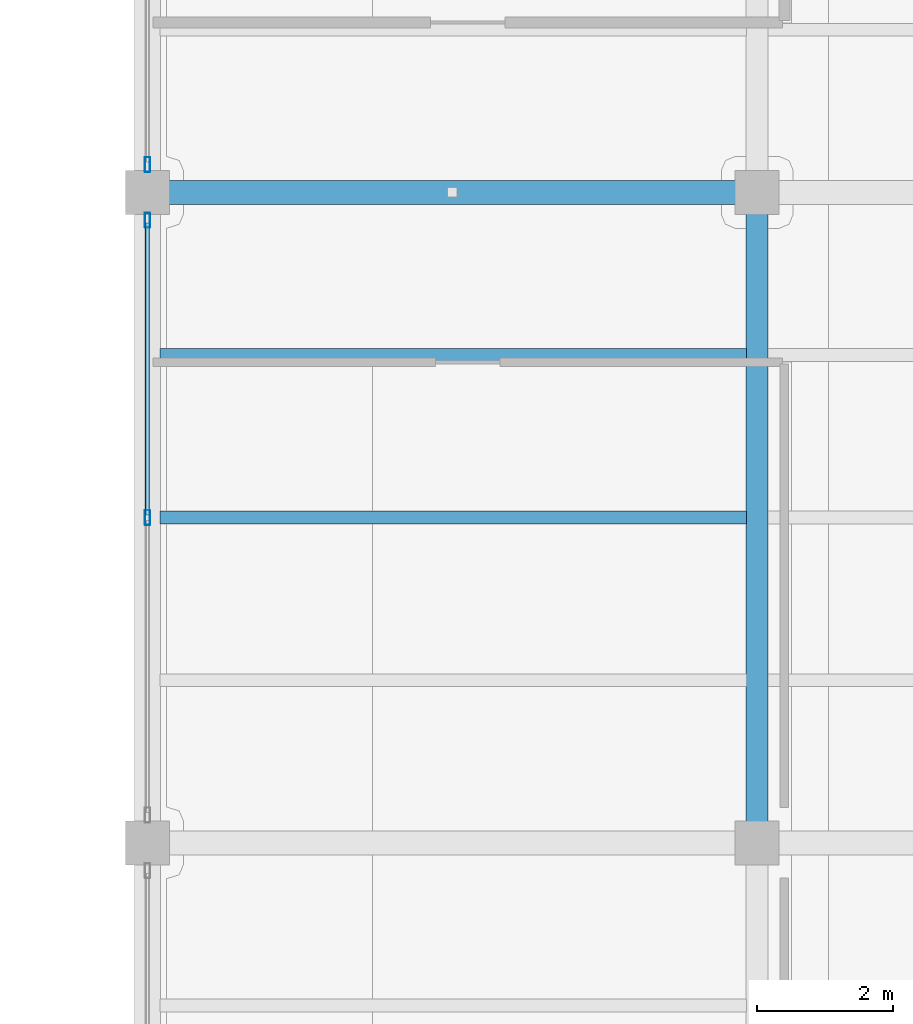
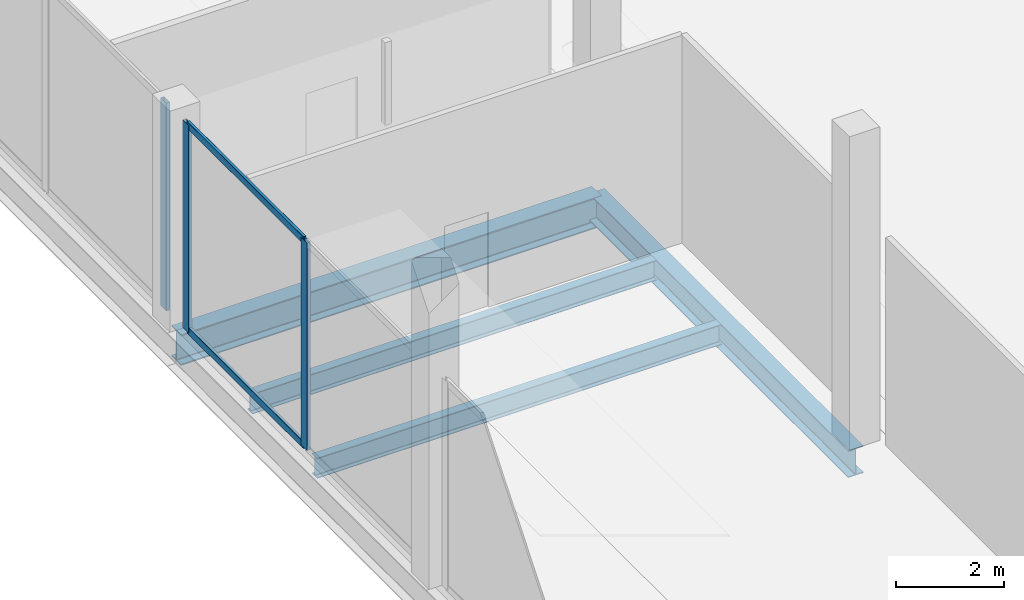
# One storey, part 7 of 43: 5 members, 4 beams, 2 elements without a shape of their own.
"""IFC4 building model written with IfcOpenShell, lengths in metres."""

from ifc_helpers import new_model, si_unit, direction, frame, origin, origin_2d, place, context, subcontext, project, spatial, hollow_rectangle, i_section, extrude, material, layer, layer_set, material_profile, profile_set, type_object, element, aggregate, save


model = new_model("IFC4")

# Units and contexts
model_context = context("Model", 3, precision=1e-05, world=origin(), true_north=direction((0.0, 1.0)))
body_context = subcontext(model_context, "Body", "Model", "MODEL_VIEW")
ifc_project = project(units=[si_unit("LENGTHUNIT", "METRE"), si_unit("AREAUNIT", "SQUARE_METRE"), si_unit("VOLUMEUNIT", "CUBIC_METRE"), si_unit("PLANEANGLEUNIT", "RADIAN"), si_unit("MASSUNIT", "GRAM", prefix="KILO")], contexts=[model_context])

# Site, building, storey
site_placement = place(None, origin())
site = spatial("IfcSite", under=ifc_project, at=site_placement, CompositionType="ELEMENT")
building_placement = place(site_placement, origin())
building = spatial("IfcBuilding", under=site, at=building_placement, Name="Qorvath Tower", CompositionType="ELEMENT")
storey_placement = place(building_placement, frame((0.0, 0.0, 22.0)))
storey = spatial("IfcBuildingStorey", under=building, at=storey_placement, Name="L04", CompositionType="ELEMENT", Elevation=22.0)

# Beams
ifc_material_1 = material(Name="Steel ASTM A992 Grade 50", Category="steel")
ifc_material_profile_1 = material_profile(ifc_material_1, i_section(OverallWidth=0.35595703125, OverallDepth=0.696044921875, WebThickness=0.015380859375, FlangeThickness=0.02490234375, FilletRadius=0.01806640625, at=origin_2d()), Name="W27x146")
ifc_profile_set_1 = profile_set([ifc_material_profile_1], Name="Steel ASTM A992 Grade 50")
beam_type_1 = type_object("IfcBeamType", Name="BM-FG4", PredefinedType="BEAM", material=ifc_profile_set_1)
beam_1_placement = place(storey_placement, frame((32.39990234375, 0.0, -0.60791015625), z_axis=(1.0, 0.0, 0.0), x_axis=(0.0, 1.0, 0.0)))
element("IfcBeam", 1, at=beam_1_placement, inside=storey, type_object=beam_type_1, Name="Library E-W Girder L04-5-1", PredefinedType="BEAM", context=body_context, shape_type="SweptSolid", body=[
    extrude(i_section(OverallWidth=0.35595703125, OverallDepth=0.696044921875, WebThickness=0.015380859375, FlangeThickness=0.02490234375, FilletRadius=0.01806640625, at=origin_2d()), origin(), (0.0, 0.0, 1.0), 9.0),
])
ifc_material_2 = material(Name="Steel ASTM A992 Grade 50", Category="steel")
ifc_material_profile_2 = material_profile(ifc_material_2, i_section(OverallWidth=0.324951171875, OverallDepth=0.615966796875, WebThickness=0.013916015625, FlangeThickness=0.021484375, FilletRadius=0.01611328125, at=origin_2d()), Name="W24x117")
ifc_profile_set_2 = profile_set([ifc_material_profile_2], Name="Steel ASTM A992 Grade 50")
beam_type_2 = type_object("IfcBeamType", Name="BM-FG5", PredefinedType="BEAM", material=ifc_profile_set_2)
beam_2_placement = place(storey_placement, frame((41.39990234375, -9.60009765625, -0.568115234375), z_axis=(0.0, 1.0, 0.0), x_axis=(-1.0, 0.0, 0.0)))
element("IfcBeam", 2, at=beam_2_placement, inside=storey, type_object=beam_type_2, Name="Library N-S Girder L04-2-4", PredefinedType="BEAM", context=body_context, shape_type="SweptSolid", body=[
    extrude(i_section(OverallWidth=0.324951171875, OverallDepth=0.615966796875, WebThickness=0.013916015625, FlangeThickness=0.021484375, FilletRadius=0.01611328125, at=origin_2d()), origin(), (0.0, 0.0, 1.0), 9.60009765625),
])
ifc_material_3 = material(Name="Steel ASTM A992 Grade 50", Category="steel")
ifc_material_profile_3 = material_profile(ifc_material_3, i_section(OverallWidth=0.18994140625, OverallDepth=0.45703125, WebThickness=0.009033203125, FlangeThickness=0.014404296875, FilletRadius=0.011962890625, at=origin_2d()), Name="W18x50")
ifc_profile_set_3 = profile_set([ifc_material_profile_3], Name="Steel ASTM A992 Grade 50")
beam_type_3 = type_object("IfcBeamType", Name="BM-FJ2", PredefinedType="JOIST", material=ifc_profile_set_3)
for number, where, z_axis, x_axis, name in (
    (3, (32.58837890625, -4.800048828125, -0.488525390625), (1.0, 0.0, 0.0), (0.0, 1.0, 0.0), "Library Stack Joist L04-4.2-1"),
    (4, (32.58837890625, -2.39990234375, -0.488525390625), (1.0, 0.0, 0.0), (0.0, 1.0, 0.0), "Library Stack Joist L04-4.3-1"),
):
    element("IfcBeam", number, at=place(storey_placement, frame(where, z_axis=z_axis, x_axis=x_axis)), inside=storey, type_object=beam_type_3, Name=name, PredefinedType="JOIST", context=body_context, shape_type="SweptSolid", body=[
        extrude(i_section(OverallWidth=0.18994140625, OverallDepth=0.45703125, WebThickness=0.009033203125, FlangeThickness=0.014404296875, FilletRadius=0.011962890625, at=origin_2d()), origin(), (0.0, 0.0, 1.0), 8.651123046875),
    ])

# Curtain wall, members
ifc_material_4 = material(Name="Anodised aluminium and triple low-E glass", Category="aluminium")
ifc_layer = layer(ifc_material_4, 0.179931640625)
ifc_layer_set = layer_set([ifc_layer], Name="CW-SYS-6")
curtain_wall_type = type_object("IfcCurtainWallType", Name="CW-SYS-6", PredefinedType="NOTDEFINED", material=ifc_layer_set)
curtain_wall_1_placement = place(storey_placement, origin())
curtain_wall_1 = element("IfcCurtainWall", 5, at=curtain_wall_1_placement, inside=storey, type_object=curtain_wall_type, Name="Curtain Wall CW-6 CW-LIB-W-L04-4", PredefinedType="NOTDEFINED")
ifc_material_5 = material(Name="Anodised aluminium 6063-T6", Category="aluminium")
ifc_material_profile_4 = material_profile(ifc_material_5, hollow_rectangle(XDim=0.080078125, YDim=0.219970703125, WallThickness=0.00439453125, InnerFilletRadius=0.00439453125, OuterFilletRadius=0.009033203125, at=origin_2d()), Name="CWM LIB 220x80")
ifc_profile_set_4 = profile_set([ifc_material_profile_4], Name="Anodised aluminium 6063-T6")
member_type_1 = type_object("IfcMemberType", Name="CWM-LIB", PredefinedType="MULLION", material=ifc_profile_set_4)
member_1_placement = place(storey_placement, frame((32.39990234375, -4.800048828125, 0.0), z_axis=(0.0, 0.0, 1.0), x_axis=(-1.0, 0.0, 0.0)))
member_1 = element("IfcMember", 6, at=member_1_placement, type_object=member_type_1, Name="CW-6 mullion 2", PredefinedType="MULLION", context=body_context, shape_type="SweptSolid", body=[
    extrude(hollow_rectangle(XDim=0.080078125, YDim=0.219970703125, WallThickness=0.00439453125, InnerFilletRadius=0.00439453125, OuterFilletRadius=0.009033203125, at=origin_2d()), origin(), (0.0, 0.0, 1.0), 4.699951171875),
])
member_2_placement = place(storey_placement, frame((32.39990234375, -0.41015625, 0.0), z_axis=(0.0, 0.0, 1.0), x_axis=(-1.0, 0.0, 0.0)))
member_2 = element("IfcMember", 7, at=member_2_placement, type_object=member_type_1, Name="CW-6 mullion 3", PredefinedType="MULLION", context=body_context, shape_type="SweptSolid", body=[
    extrude(hollow_rectangle(XDim=0.080078125, YDim=0.219970703125, WallThickness=0.00439453125, InnerFilletRadius=0.00439453125, OuterFilletRadius=0.009033203125, at=origin_2d()), origin(), (0.0, 0.0, 1.0), 4.699951171875),
])

# Curtain wall, member
curtain_wall_2_placement = place(storey_placement, origin())
curtain_wall_2 = element("IfcCurtainWall", 8, at=curtain_wall_2_placement, inside=storey, type_object=curtain_wall_type, Name="Curtain Wall CW-6 CW-LIB-W-L04-5", PredefinedType="NOTDEFINED")
member_3_placement = place(storey_placement, frame((32.39990234375, 0.41015625, 0.0), z_axis=(0.0, 0.0, 1.0), x_axis=(-1.0, 0.0, 0.0)))
member_3 = element("IfcMember", 9, at=member_3_placement, type_object=member_type_1, Name="CW-6 mullion 1", PredefinedType="MULLION", context=body_context, shape_type="SweptSolid", body=[
    extrude(hollow_rectangle(XDim=0.080078125, YDim=0.219970703125, WallThickness=0.00439453125, InnerFilletRadius=0.00439453125, OuterFilletRadius=0.009033203125, at=origin_2d()), origin(), (0.0, 0.0, 1.0), 4.699951171875),
])
aggregate(curtain_wall_2, [member_3])

# Member
ifc_material_6 = material(Name="Anodised aluminium 6063-T6", Category="aluminium")
ifc_material_profile_5 = material_profile(ifc_material_6, hollow_rectangle(XDim=0.06494140625, YDim=0.159912109375, WallThickness=0.00341796875, InnerFilletRadius=0.00341796875, OuterFilletRadius=0.007080078125, at=origin_2d()), Name="CWT 160x65")
ifc_profile_set_5 = profile_set([ifc_material_profile_5], Name="Anodised aluminium 6063-T6")
member_type_2 = type_object("IfcMemberType", Name="CWT-160", PredefinedType="USERDEFINED", material=ifc_profile_set_5)
member_4_placement = place(storey_placement, frame((32.39990234375, -4.760009765625, 0.032470703125), z_axis=(0.0, 1.0, 0.0), x_axis=(-1.0, 0.0, 0.0)))
member_4 = element("IfcMember", 10, at=member_4_placement, type_object=member_type_2, Name="CW-6 transom 2.1", ObjectType="TRANSOM", PredefinedType="USERDEFINED", context=body_context, shape_type="SweptSolid", body=[
    extrude(hollow_rectangle(XDim=0.06494140625, YDim=0.159912109375, WallThickness=0.00341796875, InnerFilletRadius=0.00341796875, OuterFilletRadius=0.007080078125, at=origin_2d()), origin(), (0.0, 0.0, 1.0), 4.309814453125),
])

member_5_placement = place(storey_placement, frame((32.39990234375, -4.760009765625, 4.66748046875), z_axis=(0.0, 1.0, 0.0), x_axis=(-1.0, 0.0, 0.0)))
member_5 = element("IfcMember", 11, at=member_5_placement, type_object=member_type_2, Name="CW-6 transom 2.2", ObjectType="TRANSOM", PredefinedType="USERDEFINED", context=body_context, shape_type="SweptSolid", body=[
    extrude(hollow_rectangle(XDim=0.06494140625, YDim=0.159912109375, WallThickness=0.00341796875, InnerFilletRadius=0.00341796875, OuterFilletRadius=0.007080078125, at=origin_2d()), origin(), (0.0, 0.0, 1.0), 4.309814453125),
])

aggregate(curtain_wall_1, [member_1, member_2, member_4, member_5])

save(model, "model.ifc")
